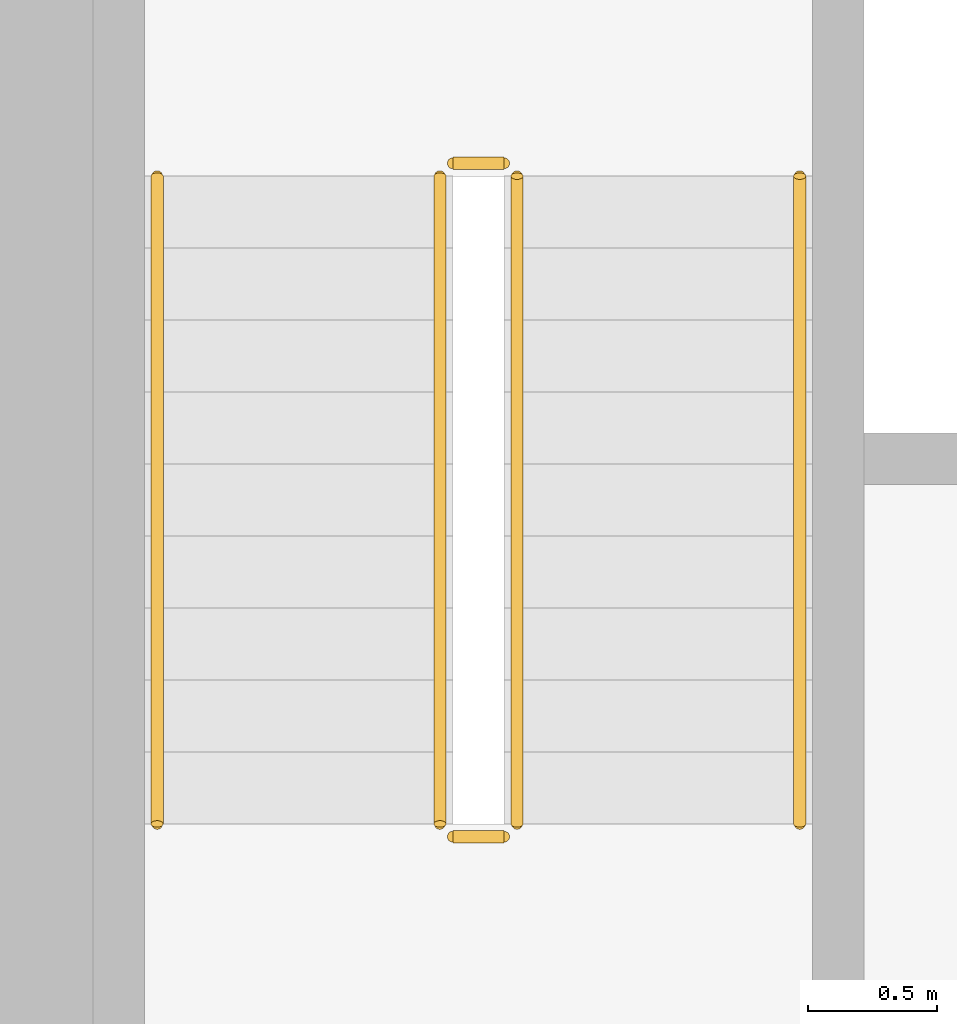
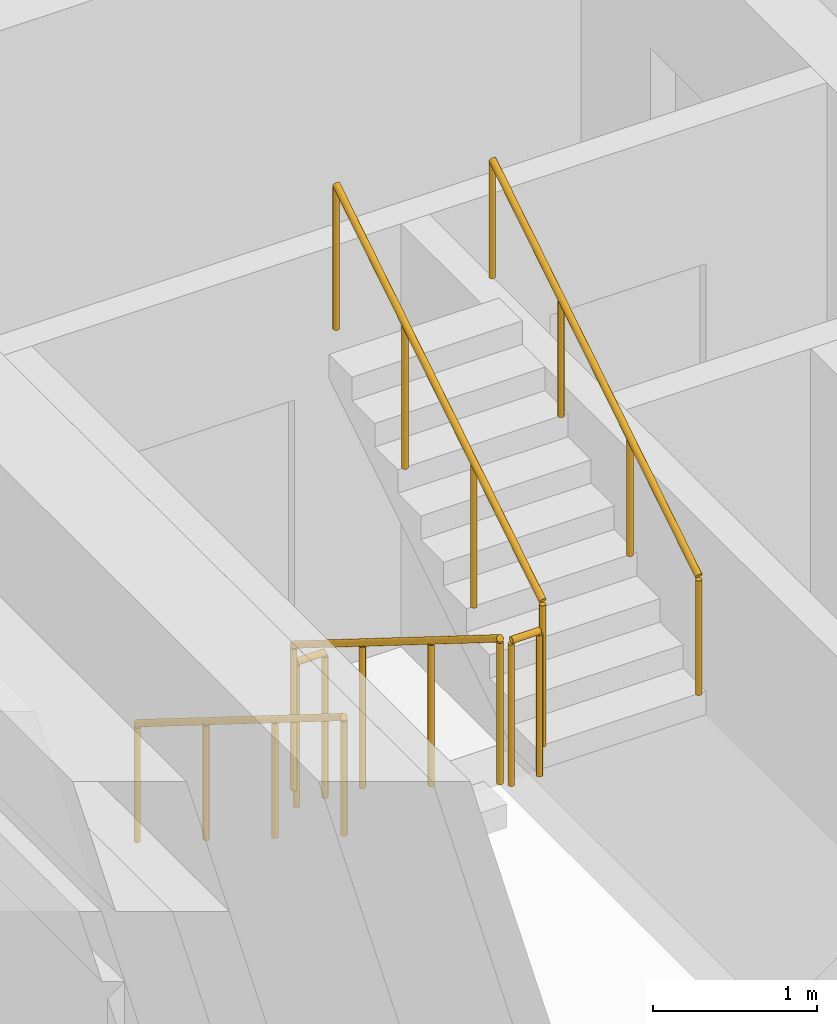
# One storey, part 11 of 14: 6 railings.
"""IFC4 building model written with IfcOpenShell, lengths in metres."""

from ifc_helpers import new_model, si_unit, direction, frame, origin, origin_2d, place, context, subcontext, project, spatial, circle, extrude, material, type_object, element, save


model = new_model("IFC4")

# Units and contexts
model_context = context("Model", 3, precision=1e-05, world=origin(), true_north=direction((0.0, 1.0)))
body_context = subcontext(model_context, "Body", "Model", "MODEL_VIEW")
ifc_project = project(units=[si_unit("LENGTHUNIT", "METRE"), si_unit("AREAUNIT", "SQUARE_METRE"), si_unit("VOLUMEUNIT", "CUBIC_METRE"), si_unit("PLANEANGLEUNIT", "RADIAN"), si_unit("MASSUNIT", "GRAM", prefix="KILO")], contexts=[model_context])

# Site, building, storey
site_placement = place(None, origin())
site = spatial("IfcSite", under=ifc_project, at=site_placement, CompositionType="ELEMENT")
building_placement = place(site_placement, origin())
building = spatial("IfcBuilding", under=site, at=building_placement, Name="Kiln Ring Residences", CompositionType="ELEMENT")
storey_placement = place(building_placement, frame((0.0, 0.0, 280.199951171875)))
storey = spatial("IfcBuildingStorey", under=building, at=storey_placement, Name="L73", CompositionType="ELEMENT", Elevation=280.199951171875)

# Railings
ifc_material_1 = material(Name="Stainless steel", Category="steel")
railing_type_1 = type_object("IfcRailingType", Name="CORE-STAIR-GUARD", PredefinedType="GUARDRAIL", material=ifc_material_1)
railing_1_placement = place(storey_placement, frame((-22.25, 8.39990234375, 0.175048828125)))
element("IfcRailing", 1, at=railing_1_placement, inside=storey, type_object=railing_type_1, Name="L73 W-STN stair guard 1", PredefinedType="GUARDRAIL", context=body_context, shape_type="SweptSolid", body=[
    extrude(circle(Radius=0.02392578125, at=origin_2d()), frame((0.0, 0.0, 1.076171875), z_axis=(0.0, -0.848007534815, 0.529984170421), x_axis=(1.0, 0.0, 0.0)), (0.0, 0.0, 1.0), 2.9716796875),
    extrude(circle(Radius=0.02099609375, at=origin_2d()), origin(), (0.0, 0.0, 1.0), 1.052001953125),
    extrude(circle(Radius=0.02099609375, at=origin_2d()), frame((0.0, -0.840087890625, 0.52490234375)), (0.0, 0.0, 1.0), 1.052001953125),
    extrude(circle(Radius=0.02099609375, at=origin_2d()), frame((0.0, -1.679931640625, 1.050048828125)), (0.0, 0.0, 1.0), 1.052001953125),
    extrude(circle(Radius=0.02099609375, at=origin_2d()), frame((0.0, -2.52001953125, 1.574951171875)), (0.0, 0.0, 1.0), 1.052001953125),
])
railing_2_placement = place(storey_placement, frame((-22.199951171875, 5.830078125, 1.75)))
element("IfcRailing", 2, at=railing_2_placement, inside=storey, type_object=railing_type_1, Name="L73 W-STN stair guard 2", PredefinedType="GUARDRAIL", context=body_context, shape_type="SweptSolid", body=[
    extrude(circle(Radius=0.02392578125, at=origin_2d()), frame((0.0, 0.0, 1.076171875), z_axis=(1.0, 0.0, 0.0), x_axis=(0.0, 1.0, 0.0)), (0.0, 0.0, 1.0), 0.199951171875),
    extrude(circle(Radius=0.02099609375, at=origin_2d()), origin(), (0.0, 0.0, 1.0), 1.052001953125),
    extrude(circle(Radius=0.02099609375, at=origin_2d()), frame((0.199951171875, 0.0, 0.0)), (0.0, 0.0, 1.0), 1.052001953125),
])
railing_3_placement = place(storey_placement, frame((-21.949951171875, 5.8798828125, 1.925048828125)))
element("IfcRailing", 3, at=railing_3_placement, inside=storey, type_object=railing_type_1, Name="L73 W-STN stair guard 3", PredefinedType="GUARDRAIL", context=body_context, shape_type="SweptSolid", body=[
    extrude(circle(Radius=0.02392578125, at=origin_2d()), frame((0.0, 0.0, 1.076171875), z_axis=(0.0, 0.848007534815, 0.529984170421), x_axis=(-1.0, 0.0, 0.0)), (0.0, 0.0, 1.0), 2.9716796875),
    extrude(circle(Radius=0.02099609375, at=origin_2d()), origin(), (0.0, 0.0, 1.0), 1.052001953125),
    extrude(circle(Radius=0.02099609375, at=origin_2d()), frame((0.0, 0.840087890625, 0.52490234375)), (0.0, 0.0, 1.0), 1.052001953125),
    extrude(circle(Radius=0.02099609375, at=origin_2d()), frame((0.0, 1.679931640625, 1.050048828125)), (0.0, 0.0, 1.0), 1.052001953125),
    extrude(circle(Radius=0.02099609375, at=origin_2d()), frame((0.0, 2.52001953125, 1.574951171875)), (0.0, 0.0, 1.0), 1.052001953125),
])
railing_4_placement = place(storey_placement, frame((-22.199951171875, 8.449951171875, 0.0)))
element("IfcRailing", 4, at=railing_4_placement, inside=storey, type_object=railing_type_1, Name="L73 W-STN stair guard 4", PredefinedType="GUARDRAIL", context=body_context, shape_type="SweptSolid", body=[
    extrude(circle(Radius=0.02392578125, at=origin_2d()), frame((0.0, 0.0, 1.076171875), z_axis=(1.0, 0.0, 0.0), x_axis=(0.0, 1.0, 0.0)), (0.0, 0.0, 1.0), 0.199951171875),
    extrude(circle(Radius=0.02099609375, at=origin_2d()), origin(), (0.0, 0.0, 1.0), 1.052001953125),
    extrude(circle(Radius=0.02099609375, at=origin_2d()), frame((0.199951171875, 0.0, 0.0)), (0.0, 0.0, 1.0), 1.052001953125),
])
ifc_material_2 = material(Name="Stainless steel", Category="steel")
railing_type_2 = type_object("IfcRailingType", Name="CORE-STAIR-HANDRAIL", PredefinedType="HANDRAIL", material=ifc_material_2)
railing_5_placement = place(storey_placement, frame((-23.35009765625, 8.39990234375, 0.175048828125)))
element("IfcRailing", 5, at=railing_5_placement, inside=storey, type_object=railing_type_2, Name="L73 W-STN stair handrail 1", PredefinedType="HANDRAIL", context=body_context, shape_type="SweptSolid", body=[
    extrude(circle(Radius=0.02392578125, at=origin_2d()), frame((0.0, 0.0, 0.8759765625), z_axis=(0.0, -0.848007534815, 0.529984170421), x_axis=(1.0, 0.0, 0.0)), (0.0, 0.0, 1.0), 2.9716796875),
    extrude(circle(Radius=0.02099609375, at=origin_2d()), origin(), (0.0, 0.0, 1.0), 0.851806640625),
    extrude(circle(Radius=0.02099609375, at=origin_2d()), frame((0.0, -0.840087890625, 0.52490234375)), (0.0, 0.0, 1.0), 0.851806640625),
    extrude(circle(Radius=0.02099609375, at=origin_2d()), frame((0.0, -1.679931640625, 1.050048828125)), (0.0, 0.0, 1.0), 0.851806640625),
    extrude(circle(Radius=0.02099609375, at=origin_2d()), frame((0.0, -2.52001953125, 1.574951171875)), (0.0, 0.0, 1.0), 0.851806640625),
])
railing_6_placement = place(storey_placement, frame((-20.85009765625, 5.8798828125, 1.925048828125)))
element("IfcRailing", 6, at=railing_6_placement, inside=storey, type_object=railing_type_2, Name="L73 W-STN stair handrail 2", PredefinedType="HANDRAIL", context=body_context, shape_type="SweptSolid", body=[
    extrude(circle(Radius=0.02392578125, at=origin_2d()), frame((0.0, 0.0, 0.8759765625), z_axis=(0.0, 0.848007534815, 0.529984170421), x_axis=(-1.0, 0.0, 0.0)), (0.0, 0.0, 1.0), 2.9716796875),
    extrude(circle(Radius=0.02099609375, at=origin_2d()), origin(), (0.0, 0.0, 1.0), 0.851806640625),
    extrude(circle(Radius=0.02099609375, at=origin_2d()), frame((0.0, 0.840087890625, 0.52490234375)), (0.0, 0.0, 1.0), 0.851806640625),
    extrude(circle(Radius=0.02099609375, at=origin_2d()), frame((0.0, 1.679931640625, 1.050048828125)), (0.0, 0.0, 1.0), 0.851806640625),
    extrude(circle(Radius=0.02099609375, at=origin_2d()), frame((0.0, 2.52001953125, 1.574951171875)), (0.0, 0.0, 1.0), 0.851806640625),
])

save(model, "model.ifc")
